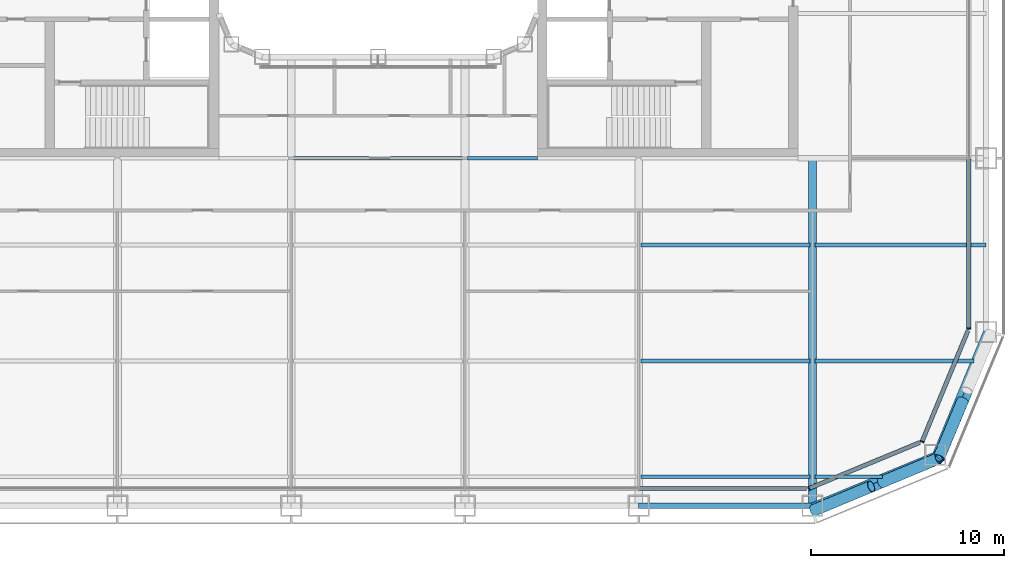
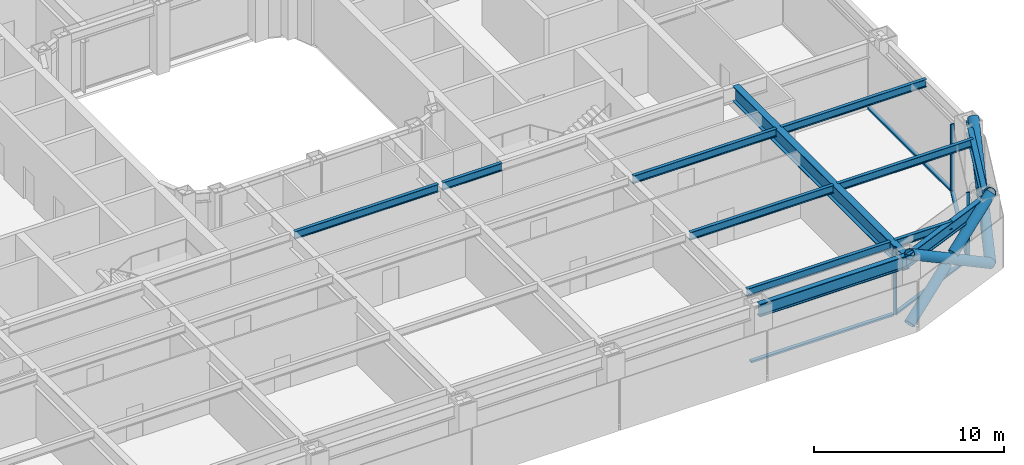
# One storey, part 4 of 28: 12 beams, 12 members, 4 elements without a shape of their own.
"""IFC4 building model written with IfcOpenShell, lengths in metres."""

from ifc_helpers import new_model, si_unit, direction, frame, origin, origin_2d, place, context, subcontext, project, spatial, rectangle, hollow_circle, i_section, extrude, material, layer, layer_set, material_profile, profile_set, type_object, element, aggregate, save


model = new_model("IFC4")

# Units and contexts
model_context = context("Model", 3, precision=1e-05, world=origin(), true_north=direction((0.0, 1.0)))
body_context = subcontext(model_context, "Body", "Model", "MODEL_VIEW")
ifc_project = project(units=[si_unit("LENGTHUNIT", "METRE"), si_unit("AREAUNIT", "SQUARE_METRE"), si_unit("VOLUMEUNIT", "CUBIC_METRE"), si_unit("PLANEANGLEUNIT", "RADIAN"), si_unit("MASSUNIT", "GRAM", prefix="KILO")], contexts=[model_context])

# Site, building, storey
site_placement = place(None, origin())
site = spatial("IfcSite", under=ifc_project, at=site_placement, CompositionType="ELEMENT")
building_placement = place(site_placement, origin())
building = spatial("IfcBuilding", under=site, at=building_placement, Name="Siwar Civic Tower", CompositionType="ELEMENT")
storey_placement = place(building_placement, frame((0.0, 0.0, 31.199951171875)))
storey = spatial("IfcBuildingStorey", under=building, at=storey_placement, Name="L06", CompositionType="ELEMENT", Elevation=31.199951171875)

# Curtain wall, member
ifc_material_1 = material(Name="Aluminium clad insulated panel", Category="aluminium")
ifc_layer_1 = layer(ifc_material_1, 0.219970703125)
ifc_layer_set_1 = layer_set([ifc_layer_1], Name="Aluminium clad insulated panel")
curtain_wall_type_1 = type_object("IfcCurtainWallType", Name="ENV-CW-AX", PredefinedType="NOTDEFINED", material=ifc_layer_set_1)
curtain_wall_1_placement = place(storey_placement, origin())
curtain_wall_1 = element("IfcCurtainWall", 1, at=curtain_wall_1_placement, inside=storey, type_object=curtain_wall_type_1, Name="Curtain wall A SE1", PredefinedType="NOTDEFINED")
ifc_material_2 = material(Name="Aluminium 6063-T6", Category="aluminium")
ifc_material_profile_1 = material_profile(ifc_material_2, rectangle(XDim=0.219970703125, YDim=0.070068359375, at=origin_2d()), Name="AL 220x70")
ifc_profile_set_1 = profile_set([ifc_material_profile_1], Name="Aluminium 6063-T6")
member_type_1 = type_object("IfcMemberType", Name="ENV-MULLION-A", PredefinedType="MULLION", material=ifc_profile_set_1)
member_1_placement = place(storey_placement, frame((22.321044921875, -30.60009765625, 0.0), z_axis=(0.0, 0.0, 1.0), x_axis=(-0.382683432365, 0.923879532511, 0.0)))
member_1 = element("IfcMember", 2, at=member_1_placement, type_object=member_type_1, Name="Mullion A SE1 1", PredefinedType="MULLION", context=body_context, shape_type="SweptSolid", body=[
    extrude(rectangle(XDim=0.219970703125, YDim=0.070068359375, at=origin_2d()), origin(), (0.0, 0.0, 1.0), 4.35009765625),
])

curtain_wall_2_placement = place(storey_placement, origin())
curtain_wall_2 = element("IfcCurtainWall", 3, at=curtain_wall_2_placement, inside=storey, type_object=curtain_wall_type_1, Name="Curtain wall A SE2", PredefinedType="NOTDEFINED")
member_2_placement = place(storey_placement, frame((28.175048828125, -28.175048828125, 0.0), z_axis=(0.0, 0.0, 1.0), x_axis=(-0.923879532511, 0.382683432365, 0.0)))
member_2 = element("IfcMember", 4, at=member_2_placement, type_object=member_type_1, Name="Mullion A SE2 1", PredefinedType="MULLION", context=body_context, shape_type="SweptSolid", body=[
    extrude(rectangle(XDim=0.219970703125, YDim=0.070068359375, at=origin_2d()), origin(), (0.0, 0.0, 1.0), 4.35009765625),
])

ifc_material_3 = material(Name="Aluminium and glass", Category="aluminium")
ifc_layer_2 = layer(ifc_material_3, 0.219970703125)
ifc_layer_set_2 = layer_set([ifc_layer_2], Name="Aluminium and glass")
curtain_wall_type_2 = type_object("IfcCurtainWallType", Name="ENV-CW-A", PredefinedType="NOTDEFINED", material=ifc_layer_set_2)
curtain_wall_3_placement = place(storey_placement, origin())
curtain_wall_3 = element("IfcCurtainWall", 5, at=curtain_wall_3_placement, inside=storey, type_object=curtain_wall_type_2, Name="Curtain wall A E", PredefinedType="NOTDEFINED")
member_3_placement = place(storey_placement, frame((30.60009765625, -22.321044921875, 0.0), z_axis=(0.0, 0.0, 1.0), x_axis=(-1.0, 0.0, 0.0)))
member_3 = element("IfcMember", 6, at=member_3_placement, type_object=member_type_1, Name="Mullion A E 1", PredefinedType="MULLION", context=body_context, shape_type="SweptSolid", body=[
    extrude(rectangle(XDim=0.219970703125, YDim=0.070068359375, at=origin_2d()), origin(), (0.0, 0.0, 1.0), 4.35009765625),
])

curtain_wall_4_placement = place(storey_placement, origin())
curtain_wall_4 = element("IfcCurtainWall", 7, at=curtain_wall_4_placement, inside=storey, type_object=curtain_wall_type_2, Name="Curtain wall A S", PredefinedType="NOTDEFINED")
ifc_material_4 = material(Name="Aluminium 6063-T6", Category="aluminium")
ifc_material_profile_2 = material_profile(ifc_material_4, rectangle(XDim=0.219970703125, YDim=0.1201171875, at=origin_2d()), Name="AL 220x120")
ifc_profile_set_2 = profile_set([ifc_material_profile_2], Name="Aluminium 6063-T6")
member_type_2 = type_object("IfcMemberType", Name="ENV-TRANSOM-A", PredefinedType="USERDEFINED", material=ifc_profile_set_2)
member_4_placement = place(storey_placement, frame((13.534912109375, -30.60009765625, 0.06005859375), z_axis=(1.0, 0.0, 0.0), x_axis=(0.0, 1.0, 0.0)))
member_4 = element("IfcMember", 8, at=member_4_placement, type_object=member_type_2, Name="Transom A S 5", ObjectType="TRANSOM", PredefinedType="USERDEFINED", context=body_context, shape_type="SweptSolid", body=[
    extrude(rectangle(XDim=0.219970703125, YDim=0.1201171875, at=origin_2d()), origin(), (0.0, 0.0, 1.0), 8.66357421875),
])
aggregate(curtain_wall_4, [member_4])

# Member
member_5_placement = place(storey_placement, frame((22.353271484375, -30.586669921875, 0.06005859375), z_axis=(0.923873326341, 0.382698415042, 0.0), x_axis=(-0.382698415042, 0.923873326341, 0.0)))
member_5 = element("IfcMember", 9, at=member_5_placement, type_object=member_type_2, Name="Transom A SE1 1", ObjectType="TRANSOM", PredefinedType="USERDEFINED", context=body_context, shape_type="SweptSolid", body=[
    extrude(rectangle(XDim=0.219970703125, YDim=0.1201171875, at=origin_2d()), origin(), (0.0, 0.0, 1.0), 6.17919921875),
])

aggregate(curtain_wall_1, [member_1, member_5])

member_6_placement = place(storey_placement, frame((28.1884765625, -28.142822265625, 0.06005859375), z_axis=(0.382698415042, 0.923873326341, 0.0), x_axis=(-0.923873326341, 0.382698415042, 0.0)))
member_6 = element("IfcMember", 10, at=member_6_placement, type_object=member_type_2, Name="Transom A SE2 1", ObjectType="TRANSOM", PredefinedType="USERDEFINED", context=body_context, shape_type="SweptSolid", body=[
    extrude(rectangle(XDim=0.219970703125, YDim=0.1201171875, at=origin_2d()), origin(), (0.0, 0.0, 1.0), 6.17919921875),
])

aggregate(curtain_wall_2, [member_2, member_6])

member_7_placement = place(storey_placement, frame((30.60009765625, -22.285888671875, 0.06005859375), z_axis=(0.0, 1.0, 0.0), x_axis=(-1.0, 0.0, 0.0)))
member_7 = element("IfcMember", 11, at=member_7_placement, type_object=member_type_2, Name="Transom A E 1", ObjectType="TRANSOM", PredefinedType="USERDEFINED", context=body_context, shape_type="SweptSolid", body=[
    extrude(rectangle(XDim=0.219970703125, YDim=0.1201171875, at=origin_2d()), origin(), (0.0, 0.0, 1.0), 8.7509765625),
])

aggregate(curtain_wall_3, [member_3, member_7])

# Members
ifc_material_5 = material(Name="Steel S355", Category="steel")
ifc_material_profile_3 = material_profile(ifc_material_5, hollow_circle(Radius=0.304931640625, WallThickness=0.030029296875, at=origin_2d()), Name="CHS610x30")
ifc_profile_set_3 = profile_set([ifc_material_profile_3], Name="Steel S355")
member_type_3 = type_object("IfcMemberType", Name="STR-BR-CHS610x30", PredefinedType="BRACE", material=ifc_profile_set_3)
member_8_placement = place(storey_placement, frame((29.040771484375, -29.040771484375, 0.0), z_axis=(0.323905527954, 0.777554562952, 0.538975055633), x_axis=(-0.923108759191, 0.384538969033, 0.0)))
element("IfcMember", 12, at=member_8_placement, inside=storey, type_object=member_type_3, Name="L06/brc/ASE1-5-0-1", PredefinedType="BRACE", context=body_context, shape_type="SweptSolid", body=[
    extrude(hollow_circle(Radius=0.304931640625, WallThickness=0.030029296875, at=origin_2d()), origin(), (0.0, 0.0, 1.0), 8.34912109375),
])
member_9_placement = place(storey_placement, frame((30.285888671875, -26.052001953125, 2.428466796875), z_axis=(-0.323934068367, -0.777568797048, 0.538937366685), x_axis=(0.923099230484, -0.384561842466, 0.0)))
element("IfcMember", 13, at=member_9_placement, inside=storey, type_object=member_type_3, Name="L06/brc/ASE1-5-0-3", PredefinedType="BRACE", context=body_context, shape_type="SweptSolid", body=[
    extrude(hollow_circle(Radius=0.304931640625, WallThickness=0.030029296875, at=origin_2d()), origin(), (0.0, 0.0, 1.0), 3.84375),
])
member_10_placement = place(storey_placement, frame((29.040771484375, -29.040771484375, 0.0), z_axis=(-0.777554562952, -0.323905527954, 0.538975055633), x_axis=(0.384538969033, -0.923108759191, 0.0)))
element("IfcMember", 14, at=member_10_placement, inside=storey, type_object=member_type_3, Name="L06/brc/ASE1-5-0-0", PredefinedType="BRACE", context=body_context, shape_type="SweptSolid", body=[
    extrude(hollow_circle(Radius=0.304931640625, WallThickness=0.030029296875, at=origin_2d()), origin(), (0.0, 0.0, 1.0), 8.34912109375),
])
member_11_placement = place(storey_placement, frame((22.548828125, -31.7451171875, 0.0), z_axis=(0.777533059308, 0.323882123145, 0.539020140617), x_axis=(-0.384524353215, 0.923114847559, 0.0)))
element("IfcMember", 15, at=member_11_placement, inside=storey, type_object=member_type_3, Name="L06/brc/ASE1-5-0-4", PredefinedType="BRACE", context=body_context, shape_type="SweptSolid", body=[
    extrude(hollow_circle(Radius=0.304931640625, WallThickness=0.030029296875, at=origin_2d()), origin(), (0.0, 0.0, 1.0), 3.843505859375),
])
member_12_placement = place(storey_placement, frame((26.052001953125, -30.285888671875, 2.428466796875), z_axis=(0.777568797048, 0.323934068367, 0.538937366685), x_axis=(-0.384561842466, 0.923099230484, 0.0)))
element("IfcMember", 16, at=member_12_placement, inside=storey, type_object=member_type_3, Name="L06/brc/ASE1-5-0-5", PredefinedType="BRACE", context=body_context, shape_type="SweptSolid", body=[
    extrude(hollow_circle(Radius=0.304931640625, WallThickness=0.030029296875, at=origin_2d()), origin(), (0.0, 0.0, 1.0), 3.84375),
])

# Beams
ifc_material_6 = material(Name="Steel S355", Category="steel")
ifc_material_profile_4 = material_profile(ifc_material_6, i_section(OverallWidth=0.199951171875, OverallDepth=0.5, WebThickness=0.01025390625, FlangeThickness=0.01611328125, FilletRadius=0.02099609375, at=origin_2d()), Name="IPE500")
ifc_profile_set_4 = profile_set([ifc_material_profile_4], Name="Steel S355")
beam_type_1 = type_object("IfcBeamType", Name="STR-FB-IPE500", PredefinedType="JOIST", material=ifc_profile_set_4)
beam_1_placement = place(storey_placement, frame((13.6298828125, -30.0, 4.10009765625), z_axis=(1.0, 0.0, 0.0), x_axis=(0.0, 1.0, 0.0)))
element("IfcBeam", 17, at=beam_1_placement, inside=storey, type_object=beam_type_1, Name="L06/bm/F006", PredefinedType="JOIST", context=body_context, shape_type="SweptSolid", body=[
    extrude(i_section(OverallWidth=0.199951171875, OverallDepth=0.5, WebThickness=0.01025390625, FlangeThickness=0.01611328125, FilletRadius=0.02099609375, at=origin_2d()), origin(), (0.0, 0.0, 1.0), 8.740234375),
])
beam_2_placement = place(storey_placement, frame((22.6298828125, -30.0, 4.10009765625), z_axis=(1.0, 0.0, 0.0), x_axis=(0.0, 1.0, 0.0)))
element("IfcBeam", 18, at=beam_2_placement, inside=storey, type_object=beam_type_1, Name="L06/bm/F007", PredefinedType="JOIST", context=body_context, shape_type="SweptSolid", body=[
    extrude(i_section(OverallWidth=0.199951171875, OverallDepth=0.5, WebThickness=0.01025390625, FlangeThickness=0.01611328125, FilletRadius=0.02099609375, at=origin_2d()), origin(), (0.0, 0.0, 1.0), 3.491455078125),
])
beam_3_placement = place(storey_placement, frame((13.6298828125, -24.0, 4.10009765625), z_axis=(1.0, 0.0, 0.0), x_axis=(0.0, 1.0, 0.0)))
element("IfcBeam", 19, at=beam_3_placement, inside=storey, type_object=beam_type_1, Name="L06/bm/F013", PredefinedType="JOIST", context=body_context, shape_type="SweptSolid", body=[
    extrude(i_section(OverallWidth=0.199951171875, OverallDepth=0.5, WebThickness=0.01025390625, FlangeThickness=0.01611328125, FilletRadius=0.02099609375, at=origin_2d()), origin(), (0.0, 0.0, 1.0), 8.740234375),
])
beam_4_placement = place(storey_placement, frame((22.6298828125, -24.0, 4.10009765625), z_axis=(1.0, 0.0, 0.0), x_axis=(0.0, 1.0, 0.0)))
element("IfcBeam", 20, at=beam_4_placement, inside=storey, type_object=beam_type_1, Name="L06/bm/F014", PredefinedType="JOIST", context=body_context, shape_type="SweptSolid", body=[
    extrude(i_section(OverallWidth=0.199951171875, OverallDepth=0.5, WebThickness=0.01025390625, FlangeThickness=0.01611328125, FilletRadius=0.02099609375, at=origin_2d()), origin(), (0.0, 0.0, 1.0), 8.248779296875),
])
beam_5_placement = place(storey_placement, frame((13.6298828125, -18.0, 4.10009765625), z_axis=(1.0, 0.0, 0.0), x_axis=(0.0, 1.0, 0.0)))
element("IfcBeam", 21, at=beam_5_placement, inside=storey, type_object=beam_type_1, Name="L06/bm/F020", PredefinedType="JOIST", context=body_context, shape_type="SweptSolid", body=[
    extrude(i_section(OverallWidth=0.199951171875, OverallDepth=0.5, WebThickness=0.01025390625, FlangeThickness=0.01611328125, FilletRadius=0.02099609375, at=origin_2d()), origin(), (0.0, 0.0, 1.0), 8.740234375),
])
beam_6_placement = place(storey_placement, frame((22.6298828125, -18.0, 4.10009765625), z_axis=(1.0, 0.0, 0.0), x_axis=(0.0, 1.0, 0.0)))
element("IfcBeam", 22, at=beam_6_placement, inside=storey, type_object=beam_type_1, Name="L06/bm/F021", PredefinedType="JOIST", context=body_context, shape_type="SweptSolid", body=[
    extrude(i_section(OverallWidth=0.199951171875, OverallDepth=0.5, WebThickness=0.01025390625, FlangeThickness=0.01611328125, FilletRadius=0.02099609375, at=origin_2d()), origin(), (0.0, 0.0, 1.0), 8.8701171875),
])
beam_7_placement = place(storey_placement, frame((-4.3701171875, -13.5, 4.10009765625), z_axis=(1.0, 0.0, 0.0), x_axis=(0.0, 1.0, 0.0)))
element("IfcBeam", 23, at=beam_7_placement, inside=storey, type_object=beam_type_1, Name="L06/bm/F026", PredefinedType="JOIST", context=body_context, shape_type="SweptSolid", body=[
    extrude(i_section(OverallWidth=0.199951171875, OverallDepth=0.5, WebThickness=0.01025390625, FlangeThickness=0.01611328125, FilletRadius=0.02099609375, at=origin_2d()), origin(), (0.0, 0.0, 1.0), 8.740234375),
])
beam_8_placement = place(storey_placement, frame((4.6298828125, -13.5, 4.10009765625), z_axis=(1.0, 0.0, 0.0), x_axis=(0.0, 1.0, 0.0)))
element("IfcBeam", 24, at=beam_8_placement, inside=storey, type_object=beam_type_1, Name="L06/bm/F027", PredefinedType="JOIST", context=body_context, shape_type="SweptSolid", body=[
    extrude(i_section(OverallWidth=0.199951171875, OverallDepth=0.5, WebThickness=0.01025390625, FlangeThickness=0.01611328125, FilletRadius=0.02099609375, at=origin_2d()), origin(), (0.0, 0.0, 1.0), 3.6201171875),
])
ifc_material_7 = material(Name="Steel S355", Category="steel")
ifc_material_profile_5 = material_profile(ifc_material_7, i_section(OverallWidth=0.39990234375, OverallDepth=1.0, WebThickness=0.01611328125, FlangeThickness=0.0400390625, at=origin_2d()), Name="PG1000x400x16x40")
ifc_profile_set_5 = profile_set([ifc_material_profile_5], Name="Steel S355")
beam_type_2 = type_object("IfcBeamType", Name="STR-PG-PG1000x400x16x40", PredefinedType="BEAM", material=ifc_profile_set_5)
beam_9_placement = place(storey_placement, frame((22.5, -31.5, 3.85009765625), z_axis=(0.0, 1.0, 0.0), x_axis=(-1.0, 0.0, 0.0)))
element("IfcBeam", 25, at=beam_9_placement, inside=storey, type_object=beam_type_2, Name="L06/bm/G11", PredefinedType="BEAM", context=body_context, shape_type="SweptSolid", body=[
    extrude(i_section(OverallWidth=0.39990234375, OverallDepth=1.0, WebThickness=0.01611328125, FlangeThickness=0.0400390625, at=origin_2d()), origin(), (0.0, 0.0, 1.0), 18.0),
])
ifc_material_8 = material(Name="Steel S355", Category="steel")
ifc_material_profile_6 = material_profile(ifc_material_8, i_section(OverallWidth=0.302978515625, OverallDepth=0.81396484375, WebThickness=0.02099609375, FlangeThickness=0.0400390625, FilletRadius=0.030029296875, at=origin_2d()), Name="HEM800")
ifc_profile_set_6 = profile_set([ifc_material_profile_6], Name="Steel S355")
beam_type_3 = type_object("IfcBeamType", Name="STR-SB-HEM800", PredefinedType="BEAM", material=ifc_profile_set_6)
beam_10_placement = place(storey_placement, frame((13.5, -31.5, 3.943115234375), z_axis=(1.0, 0.0, 0.0), x_axis=(0.0, 1.0, 0.0)))
element("IfcBeam", 26, at=beam_10_placement, inside=storey, type_object=beam_type_3, Name="L06/bm/SS-4", PredefinedType="BEAM", context=body_context, shape_type="SweptSolid", body=[
    extrude(i_section(OverallWidth=0.302978515625, OverallDepth=0.81396484375, WebThickness=0.02099609375, FlangeThickness=0.0400390625, FilletRadius=0.030029296875, at=origin_2d()), origin(), (0.0, 0.0, 1.0), 9.0),
])
for number, where, z_axis, x_axis, name in (
    (27, (22.5, -31.5, 3.943115234375), (0.923883353507, 0.382674207535, 0.0), (-0.382674207535, 0.923883353507, 0.0), "L06/bm/SSE1-0"),
    (28, (28.864013671875, -28.864013671875, 3.943115234375), (0.382674207535, 0.923883353507, 0.0), (-0.923883353507, 0.382674207535, 0.0), "L06/bm/SSE2-0"),
):
    element("IfcBeam", number, at=place(storey_placement, frame(where, z_axis=z_axis, x_axis=x_axis)), inside=storey, type_object=beam_type_3, Name=name, PredefinedType="BEAM", context=body_context, shape_type="SweptSolid", body=[
        extrude(i_section(OverallWidth=0.302978515625, OverallDepth=0.81396484375, WebThickness=0.02099609375, FlangeThickness=0.0400390625, FilletRadius=0.030029296875, at=origin_2d()), origin(), (0.0, 0.0, 1.0), 6.888427734375),
    ])

save(model, "model.ifc")
